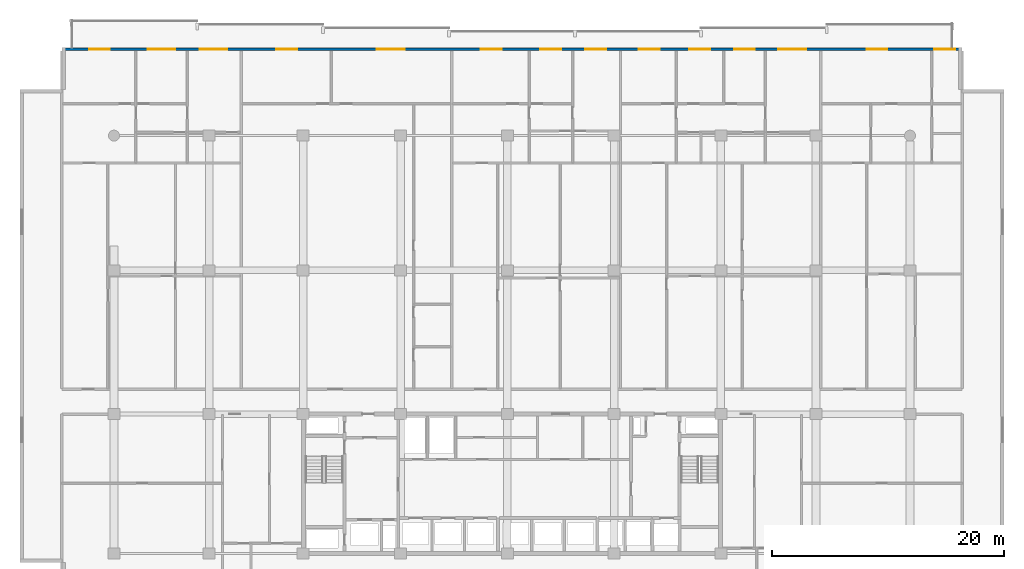
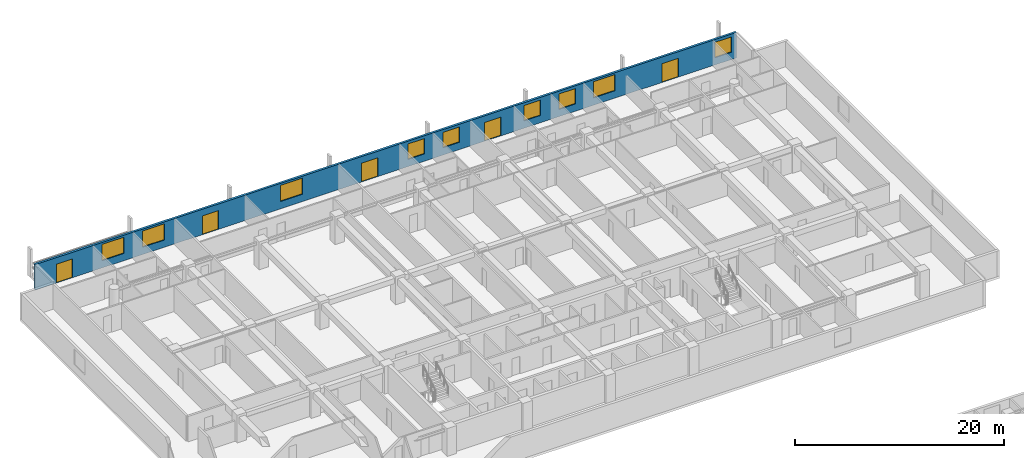
# One storey, part 17 of 24: 9 windows, 5 doors, 1 wall, 14 openings.
"""IFC4 building model written with IfcOpenShell, lengths in metres."""

from ifc_helpers import new_model, si_unit, direction, frame, frame_2d, origin, place, context, subcontext, project, spatial, rectangle, extrude, material, layer, layer_set, type_object, element, fill, save


model = new_model("IFC4")

# Units and contexts
model_context = context("Model", 3, precision=1e-05, world=origin(), true_north=direction((0.0, 1.0)))
body_context = subcontext(model_context, "Body", "Model", "MODEL_VIEW")
ifc_project = project(units=[si_unit("LENGTHUNIT", "METRE"), si_unit("AREAUNIT", "SQUARE_METRE"), si_unit("VOLUMEUNIT", "CUBIC_METRE"), si_unit("PLANEANGLEUNIT", "RADIAN"), si_unit("MASSUNIT", "GRAM", prefix="KILO")], contexts=[model_context])

# Site, building, storey
site_placement = place(None, origin())
site = spatial("IfcSite", under=ifc_project, at=site_placement, CompositionType="ELEMENT")
building_placement = place(site_placement, origin())
building = spatial("IfcBuilding", under=site, at=building_placement, Name="Korimba Cascade Residences", CompositionType="ELEMENT")
storey_placement = place(building_placement, frame((0.0, 0.0, 43.5)))
storey = spatial("IfcBuildingStorey", under=building, at=storey_placement, Name="L11", CompositionType="ELEMENT", Elevation=43.5)

# Wall, openings, doors, windows
ifc_material_1 = material(Name="Precast concrete C40/50", Category="concrete")
ifc_layer = layer(ifc_material_1, 0.25)
ifc_layer_set = layer_set([ifc_layer], Name="Precast concrete C40/50")
wall_type = type_object("IfcWallType", Name="EW-LOG-250", PredefinedType="STANDARD", material=ifc_layer_set)
wall_placement = place(storey_placement, frame((132.89990234375, 98.64990234375, 0.0), z_axis=(0.0, 0.0, 1.0), x_axis=(-1.0, 0.0, 0.0)))
wall = element("IfcWall", 1, at=wall_placement, inside=storey, type_object=wall_type, Name="L11 T1 Perimeter Stone Wall E06", PredefinedType="STANDARD", context=body_context, shape_type="SweptSolid", body=[
    extrude(rectangle(XDim=77.599853515625, YDim=0.25, at=frame_2d((38.7998046875, 0.0))), origin(), (0.0, 0.0, 1.0), 2.969970703125),
])
opening_1_placement = place(wall_placement, frame((67.800048828125, 0.0, 0.85009765625)))
opening_1 = element("IfcOpeningElement", 2, at=opening_1_placement, cuts=wall, Name="Opening W-01", PredefinedType="OPENING", context=body_context, shape_type="SweptSolid", body=[
    extrude(rectangle(XDim=2.39990234375, YDim=1.89990234375, at=frame_2d((1.199951171875, 0.949951171875))), frame((0.0, 0.135009765625, 0.0), z_axis=(0.0, -1.0, 0.0), x_axis=(1.0, 0.0, 0.0)), (0.0, 0.0, 1.0), 0.27001953125),
])
opening_2_placement = place(wall_placement, frame((73.449951171875, 0.0, 0.0)))
opening_2 = element("IfcOpeningElement", 3, at=opening_2_placement, cuts=wall, Name="Opening D-LG1", PredefinedType="OPENING", context=body_context, shape_type="SweptSolid", body=[
    extrude(rectangle(XDim=1.800048828125, YDim=2.199951171875, at=frame_2d((0.89990234375, 1.10009765625))), frame((0.0, 0.135009765625, 0.0), z_axis=(0.0, -1.0, 0.0), x_axis=(1.0, 0.0, 0.0)), (0.0, 0.0, 1.0), 0.27001953125),
])
opening_3_placement = place(wall_placement, frame((63.322509765625, 0.0, 0.85009765625)))
opening_3 = element("IfcOpeningElement", 4, at=opening_3_placement, cuts=wall, Name="Opening W-01", PredefinedType="OPENING", context=body_context, shape_type="SweptSolid", body=[
    extrude(rectangle(XDim=2.39990234375, YDim=1.89990234375, at=frame_2d((1.199951171875, 0.949951171875))), frame((0.0, 0.135009765625, 0.0), z_axis=(0.0, -1.0, 0.0), x_axis=(1.0, 0.0, 0.0)), (0.0, 0.0, 1.0), 0.27001953125),
])
opening_4_placement = place(wall_placement, frame((57.302490234375, 0.0, 0.0)))
opening_4 = element("IfcOpeningElement", 5, at=opening_4_placement, cuts=wall, Name="Opening D-LG1", PredefinedType="OPENING", context=body_context, shape_type="SweptSolid", body=[
    extrude(rectangle(XDim=1.800048828125, YDim=2.199951171875, at=frame_2d((0.89990234375, 1.10009765625))), frame((0.0, 0.135009765625, 0.0), z_axis=(0.0, -1.0, 0.0), x_axis=(1.0, 0.0, 0.0)), (0.0, 0.0, 1.0), 0.27001953125),
])
opening_5_placement = place(wall_placement, frame((48.052978515625, 0.0, 0.85009765625)))
opening_5 = element("IfcOpeningElement", 6, at=opening_5_placement, cuts=wall, Name="Opening W-01", PredefinedType="OPENING", context=body_context, shape_type="SweptSolid", body=[
    extrude(rectangle(XDim=2.39990234375, YDim=1.89990234375, at=frame_2d((1.199951171875, 0.949951171875))), frame((0.0, 0.135009765625, 0.0), z_axis=(0.0, -1.0, 0.0), x_axis=(1.0, 0.0, 0.0)), (0.0, 0.0, 1.0), 0.27001953125),
])
opening_6_placement = place(wall_placement, frame((34.54638671875, 0.0, 0.85009765625)))
opening_6 = element("IfcOpeningElement", 7, at=opening_6_placement, cuts=wall, Name="Opening W-02", PredefinedType="OPENING", context=body_context, shape_type="SweptSolid", body=[
    extrude(rectangle(XDim=1.800048828125, YDim=1.800048828125, at=frame_2d((0.89990234375, 0.89990234375))), frame((0.0, 0.135009765625, 0.0), z_axis=(0.0, -1.0, 0.0), x_axis=(1.0, 0.0, 0.0)), (0.0, 0.0, 1.0), 0.27001953125),
])
opening_7_placement = place(wall_placement, frame((39.702880859375, 0.0, 0.0)))
opening_7 = element("IfcOpeningElement", 8, at=opening_7_placement, cuts=wall, Name="Opening D-LG1", PredefinedType="OPENING", context=body_context, shape_type="SweptSolid", body=[
    extrude(rectangle(XDim=1.800048828125, YDim=2.199951171875, at=frame_2d((0.89990234375, 1.10009765625))), frame((0.0, 0.135009765625, 0.0), z_axis=(0.0, -1.0, 0.0), x_axis=(1.0, 0.0, 0.0)), (0.0, 0.0, 1.0), 0.27001953125),
])
opening_8_placement = place(wall_placement, frame((30.667724609375, 0.0, 0.85009765625)))
opening_8 = element("IfcOpeningElement", 9, at=opening_8_placement, cuts=wall, Name="Opening W-02", PredefinedType="OPENING", context=body_context, shape_type="SweptSolid", body=[
    extrude(rectangle(XDim=1.800048828125, YDim=1.800048828125, at=frame_2d((0.89990234375, 0.89990234375))), frame((0.0, 0.135009765625, 0.0), z_axis=(0.0, -1.0, 0.0), x_axis=(1.0, 0.0, 0.0)), (0.0, 0.0, 1.0), 0.27001953125),
])
opening_9_placement = place(wall_placement, frame((21.705810546875, 0.0, 0.85009765625)))
opening_9 = element("IfcOpeningElement", 10, at=opening_9_placement, cuts=wall, Name="Opening W-02", PredefinedType="OPENING", context=body_context, shape_type="SweptSolid", body=[
    extrude(rectangle(XDim=1.800048828125, YDim=1.800048828125, at=frame_2d((0.89990234375, 0.89990234375))), frame((0.0, 0.135009765625, 0.0), z_axis=(0.0, -1.0, 0.0), x_axis=(1.0, 0.0, 0.0)), (0.0, 0.0, 1.0), 0.27001953125),
])
opening_10_placement = place(wall_placement, frame((17.8623046875, 0.0, 0.85009765625)))
opening_10 = element("IfcOpeningElement", 11, at=opening_10_placement, cuts=wall, Name="Opening W-02", PredefinedType="OPENING", context=body_context, shape_type="SweptSolid", body=[
    extrude(rectangle(XDim=1.800048828125, YDim=1.800048828125, at=frame_2d((0.89990234375, 0.89990234375))), frame((0.0, 0.135009765625, 0.0), z_axis=(0.0, -1.0, 0.0), x_axis=(1.0, 0.0, 0.0)), (0.0, 0.0, 1.0), 0.27001953125),
])
opening_11_placement = place(wall_placement, frame((26.08740234375, 0.0, 0.0)))
opening_11 = element("IfcOpeningElement", 12, at=opening_11_placement, cuts=wall, Name="Opening D-LG1", PredefinedType="OPENING", context=body_context, shape_type="SweptSolid", body=[
    extrude(rectangle(XDim=1.800048828125, YDim=2.199951171875, at=frame_2d((0.89990234375, 1.10009765625))), frame((0.0, 0.135009765625, 0.0), z_axis=(0.0, -1.0, 0.0), x_axis=(1.0, 0.0, 0.0)), (0.0, 0.0, 1.0), 0.27001953125),
])
opening_12_placement = place(wall_placement, frame((13.4404296875, 0.0, 0.85009765625)))
opening_12 = element("IfcOpeningElement", 13, at=opening_12_placement, cuts=wall, Name="Opening W-01", PredefinedType="OPENING", context=body_context, shape_type="SweptSolid", body=[
    extrude(rectangle(XDim=2.39990234375, YDim=1.89990234375, at=frame_2d((1.199951171875, 0.949951171875))), frame((0.0, 0.135009765625, 0.0), z_axis=(0.0, -1.0, 0.0), x_axis=(1.0, 0.0, 0.0)), (0.0, 0.0, 1.0), 0.27001953125),
])
opening_13_placement = place(wall_placement, frame((6.44775390625, 0.0, 0.0)))
opening_13 = element("IfcOpeningElement", 14, at=opening_13_placement, cuts=wall, Name="Opening D-LG1", PredefinedType="OPENING", context=body_context, shape_type="SweptSolid", body=[
    extrude(rectangle(XDim=1.800048828125, YDim=2.199951171875, at=frame_2d((0.89990234375, 1.10009765625))), frame((0.0, 0.135009765625, 0.0), z_axis=(0.0, -1.0, 0.0), x_axis=(1.0, 0.0, 0.0)), (0.0, 0.0, 1.0), 0.27001953125),
])
opening_14_placement = place(wall_placement, frame((0.60009765625, 0.0, 0.85009765625)))
opening_14 = element("IfcOpeningElement", 15, at=opening_14_placement, cuts=wall, Name="Opening W-02", PredefinedType="OPENING", context=body_context, shape_type="SweptSolid", body=[
    extrude(rectangle(XDim=1.800048828125, YDim=1.800048828125, at=frame_2d((0.89990234375, 0.89990234375))), frame((0.0, 0.135009765625, 0.0), z_axis=(0.0, -1.0, 0.0), x_axis=(1.0, 0.0, 0.0)), (0.0, 0.0, 1.0), 0.27001953125),
])
ifc_material_2 = material(Name="Glazed Aluminium Loggia Sliding Door", Category="aluminium")
door_type = type_object("IfcDoorType", Name="DR-EXT-LOG", OperationType="NOTDEFINED", PredefinedType="DOOR", material=ifc_material_2)
door_1_placement = place(opening_2_placement, origin())
door_1 = element("IfcDoor", 16, at=door_1_placement, inside=storey, type_object=door_type, Name="L11 T1 Loggia Sliding Door 4", OperationType="SLIDING_TO_LEFT", OverallHeight=2.199951171875, OverallWidth=1.800048828125, PredefinedType="DOOR", context=body_context, shape_type="SweptSolid", body=[
    extrude(rectangle(XDim=1.800048828125, YDim=2.199951171875, at=frame_2d((0.89990234375, 1.10009765625))), frame((0.0, 0.02490234375, 0.0), z_axis=(0.0, -1.0, 0.0), x_axis=(1.0, 0.0, 0.0)), (0.0, 0.0, 1.0), 0.050048828125),
])
fill(opening_2, door_1)
door_2_placement = place(opening_4_placement, origin())
door_2 = element("IfcDoor", 17, at=door_2_placement, inside=storey, type_object=door_type, Name="L11 T1 Loggia Sliding Door 6", OperationType="SLIDING_TO_LEFT", OverallHeight=2.199951171875, OverallWidth=1.800048828125, PredefinedType="DOOR", context=body_context, shape_type="SweptSolid", body=[
    extrude(rectangle(XDim=1.800048828125, YDim=2.199951171875, at=frame_2d((0.89990234375, 1.10009765625))), frame((0.0, 0.02490234375, 0.0), z_axis=(0.0, -1.0, 0.0), x_axis=(1.0, 0.0, 0.0)), (0.0, 0.0, 1.0), 0.050048828125),
])
fill(opening_4, door_2)
door_3_placement = place(opening_7_placement, origin())
door_3 = element("IfcDoor", 18, at=door_3_placement, inside=storey, type_object=door_type, Name="L11 T1 Loggia Sliding Door 9", OperationType="SLIDING_TO_LEFT", OverallHeight=2.199951171875, OverallWidth=1.800048828125, PredefinedType="DOOR", context=body_context, shape_type="SweptSolid", body=[
    extrude(rectangle(XDim=1.800048828125, YDim=2.199951171875, at=frame_2d((0.89990234375, 1.10009765625))), frame((0.0, 0.02490234375, 0.0), z_axis=(0.0, -1.0, 0.0), x_axis=(1.0, 0.0, 0.0)), (0.0, 0.0, 1.0), 0.050048828125),
])
fill(opening_7, door_3)
door_4_placement = place(opening_11_placement, origin())
door_4 = element("IfcDoor", 19, at=door_4_placement, inside=storey, type_object=door_type, Name="L11 T1 Loggia Sliding Door 13", OperationType="SLIDING_TO_LEFT", OverallHeight=2.199951171875, OverallWidth=1.800048828125, PredefinedType="DOOR", context=body_context, shape_type="SweptSolid", body=[
    extrude(rectangle(XDim=1.800048828125, YDim=2.199951171875, at=frame_2d((0.89990234375, 1.10009765625))), frame((0.0, 0.02490234375, 0.0), z_axis=(0.0, -1.0, 0.0), x_axis=(1.0, 0.0, 0.0)), (0.0, 0.0, 1.0), 0.050048828125),
])
fill(opening_11, door_4)
door_5_placement = place(opening_13_placement, origin())
door_5 = element("IfcDoor", 20, at=door_5_placement, inside=storey, type_object=door_type, Name="L11 T1 Loggia Sliding Door 15", OperationType="SLIDING_TO_LEFT", OverallHeight=2.199951171875, OverallWidth=1.800048828125, PredefinedType="DOOR", context=body_context, shape_type="SweptSolid", body=[
    extrude(rectangle(XDim=1.800048828125, YDim=2.199951171875, at=frame_2d((0.89990234375, 1.10009765625))), frame((0.0, 0.02490234375, 0.0), z_axis=(0.0, -1.0, 0.0), x_axis=(1.0, 0.0, 0.0)), (0.0, 0.0, 1.0), 0.050048828125),
])
fill(opening_13, door_5)
ifc_material_3 = material(Name="Double-Glazed Aluminium Window", Category="aluminium")
window_type_1 = type_object("IfcWindowType", Name="WIN-BED-1800", PartitioningType="SINGLE_PANEL", PredefinedType="WINDOW", material=ifc_material_3)
window_1_placement = place(opening_6_placement, origin())
window_1 = element("IfcWindow", 21, at=window_1_placement, inside=storey, type_object=window_type_1, Name="L11 T1 North Facade Window 8", OverallHeight=1.800048828125, OverallWidth=1.800048828125, PartitioningType="SINGLE_PANEL", PredefinedType="WINDOW", context=body_context, shape_type="SweptSolid", body=[
    extrude(rectangle(XDim=1.800048828125, YDim=1.800048828125, at=frame_2d((0.89990234375, 0.89990234375))), frame((0.0, 0.030029296875, 0.0), z_axis=(0.0, -1.0, 0.0), x_axis=(1.0, 0.0, 0.0)), (0.0, 0.0, 1.0), 0.06005859375),
])
fill(opening_6, window_1)
window_2_placement = place(opening_8_placement, origin())
window_2 = element("IfcWindow", 22, at=window_2_placement, inside=storey, type_object=window_type_1, Name="L11 T1 North Facade Window 10", OverallHeight=1.800048828125, OverallWidth=1.800048828125, PartitioningType="SINGLE_PANEL", PredefinedType="WINDOW", context=body_context, shape_type="SweptSolid", body=[
    extrude(rectangle(XDim=1.800048828125, YDim=1.800048828125, at=frame_2d((0.89990234375, 0.89990234375))), frame((0.0, 0.030029296875, 0.0), z_axis=(0.0, -1.0, 0.0), x_axis=(1.0, 0.0, 0.0)), (0.0, 0.0, 1.0), 0.06005859375),
])
fill(opening_8, window_2)
window_3_placement = place(opening_9_placement, origin())
window_3 = element("IfcWindow", 23, at=window_3_placement, inside=storey, type_object=window_type_1, Name="L11 T1 North Facade Window 11", OverallHeight=1.800048828125, OverallWidth=1.800048828125, PartitioningType="SINGLE_PANEL", PredefinedType="WINDOW", context=body_context, shape_type="SweptSolid", body=[
    extrude(rectangle(XDim=1.800048828125, YDim=1.800048828125, at=frame_2d((0.89990234375, 0.89990234375))), frame((0.0, 0.030029296875, 0.0), z_axis=(0.0, -1.0, 0.0), x_axis=(1.0, 0.0, 0.0)), (0.0, 0.0, 1.0), 0.06005859375),
])
fill(opening_9, window_3)
window_4_placement = place(opening_10_placement, origin())
window_4 = element("IfcWindow", 24, at=window_4_placement, inside=storey, type_object=window_type_1, Name="L11 T1 North Facade Window 12", OverallHeight=1.800048828125, OverallWidth=1.800048828125, PartitioningType="SINGLE_PANEL", PredefinedType="WINDOW", context=body_context, shape_type="SweptSolid", body=[
    extrude(rectangle(XDim=1.800048828125, YDim=1.800048828125, at=frame_2d((0.89990234375, 0.89990234375))), frame((0.0, 0.030029296875, 0.0), z_axis=(0.0, -1.0, 0.0), x_axis=(1.0, 0.0, 0.0)), (0.0, 0.0, 1.0), 0.06005859375),
])
fill(opening_10, window_4)
window_5_placement = place(opening_14_placement, origin())
window_5 = element("IfcWindow", 25, at=window_5_placement, inside=storey, type_object=window_type_1, Name="L11 T1 North Facade Window 16", OverallHeight=1.800048828125, OverallWidth=1.800048828125, PartitioningType="SINGLE_PANEL", PredefinedType="WINDOW", context=body_context, shape_type="SweptSolid", body=[
    extrude(rectangle(XDim=1.800048828125, YDim=1.800048828125, at=frame_2d((0.89990234375, 0.89990234375))), frame((0.0, 0.030029296875, 0.0), z_axis=(0.0, -1.0, 0.0), x_axis=(1.0, 0.0, 0.0)), (0.0, 0.0, 1.0), 0.06005859375),
])
fill(opening_14, window_5)
window_type_2 = type_object("IfcWindowType", Name="WIN-RES-2400", PartitioningType="DOUBLE_PANEL_VERTICAL", PredefinedType="WINDOW", material=ifc_material_3)
window_6_placement = place(opening_1_placement, origin())
window_6 = element("IfcWindow", 26, at=window_6_placement, inside=storey, type_object=window_type_2, Name="L11 T1 North Facade Window 3", OverallHeight=1.89990234375, OverallWidth=2.39990234375, PartitioningType="DOUBLE_PANEL_VERTICAL", PredefinedType="WINDOW", context=body_context, shape_type="SweptSolid", body=[
    extrude(rectangle(XDim=2.39990234375, YDim=1.89990234375, at=frame_2d((1.199951171875, 0.949951171875))), frame((0.0, 0.030029296875, 0.0), z_axis=(0.0, -1.0, 0.0), x_axis=(1.0, 0.0, 0.0)), (0.0, 0.0, 1.0), 0.06005859375),
])
fill(opening_1, window_6)
window_7_placement = place(opening_3_placement, origin())
window_7 = element("IfcWindow", 27, at=window_7_placement, inside=storey, type_object=window_type_2, Name="L11 T1 North Facade Window 5", OverallHeight=1.89990234375, OverallWidth=2.39990234375, PartitioningType="DOUBLE_PANEL_VERTICAL", PredefinedType="WINDOW", context=body_context, shape_type="SweptSolid", body=[
    extrude(rectangle(XDim=2.39990234375, YDim=1.89990234375, at=frame_2d((1.199951171875, 0.949951171875))), frame((0.0, 0.030029296875, 0.0), z_axis=(0.0, -1.0, 0.0), x_axis=(1.0, 0.0, 0.0)), (0.0, 0.0, 1.0), 0.06005859375),
])
fill(opening_3, window_7)
window_8_placement = place(opening_5_placement, origin())
window_8 = element("IfcWindow", 28, at=window_8_placement, inside=storey, type_object=window_type_2, Name="L11 T1 North Facade Window 7", OverallHeight=1.89990234375, OverallWidth=2.39990234375, PartitioningType="DOUBLE_PANEL_VERTICAL", PredefinedType="WINDOW", context=body_context, shape_type="SweptSolid", body=[
    extrude(rectangle(XDim=2.39990234375, YDim=1.89990234375, at=frame_2d((1.199951171875, 0.949951171875))), frame((0.0, 0.030029296875, 0.0), z_axis=(0.0, -1.0, 0.0), x_axis=(1.0, 0.0, 0.0)), (0.0, 0.0, 1.0), 0.06005859375),
])
fill(opening_5, window_8)
window_9_placement = place(opening_12_placement, origin())
window_9 = element("IfcWindow", 29, at=window_9_placement, inside=storey, type_object=window_type_2, Name="L11 T1 North Facade Window 14", OverallHeight=1.89990234375, OverallWidth=2.39990234375, PartitioningType="DOUBLE_PANEL_VERTICAL", PredefinedType="WINDOW", context=body_context, shape_type="SweptSolid", body=[
    extrude(rectangle(XDim=2.39990234375, YDim=1.89990234375, at=frame_2d((1.199951171875, 0.949951171875))), frame((0.0, 0.030029296875, 0.0), z_axis=(0.0, -1.0, 0.0), x_axis=(1.0, 0.0, 0.0)), (0.0, 0.0, 1.0), 0.06005859375),
])
fill(opening_12, window_9)

save(model, "model.ifc")
